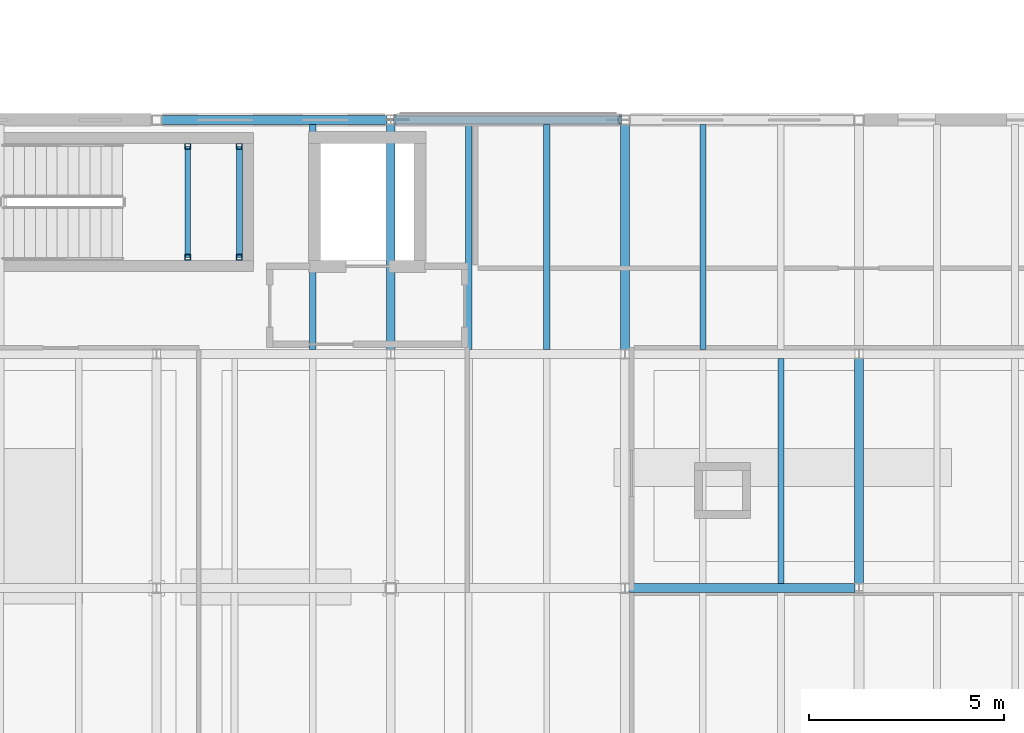
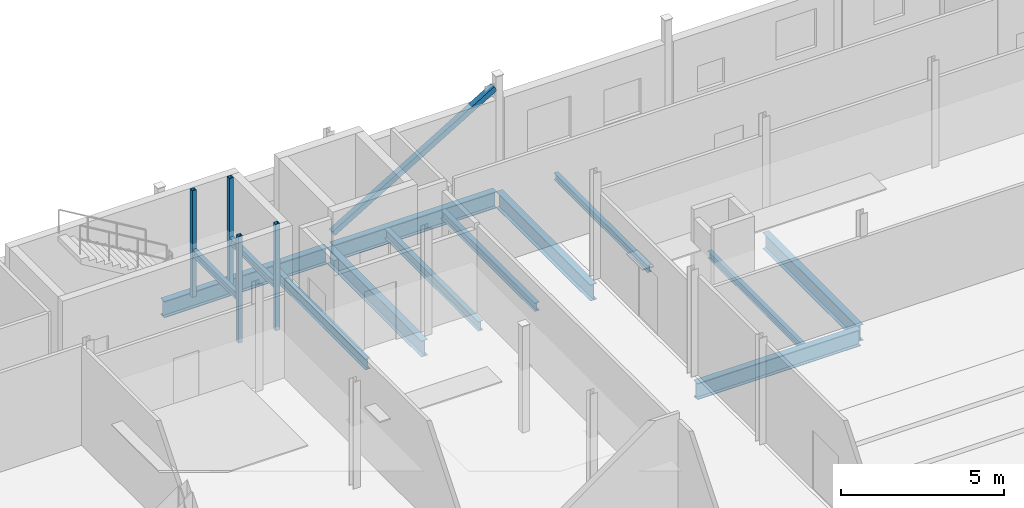
# One storey, part 36 of 92: 13 beams, 5 members.
"""IFC4 building model written with IfcOpenShell, lengths in metres."""

import ifcopenshell
import ifcopenshell.guid

model = None  # the IFC model being written
_history = None  # IfcOwnerHistory: only IFC2X3 demands one
_inside = {}  # id of a spatial element -> (the spatial element, [elements in it])
_under = {}  # id of a project, library or spatial element -> (it, [spatial elements below it])
_declared = {}  # id of a project -> (the project, [libraries it declares])
_typed = {}  # id of a type object -> (the type object, [elements of that type])
_made_of = {}  # id of a material, layer set ... -> (it, [elements and type objects made of it])


def new_model(schema):
    """Start an empty IFC model of exactly this schema.

    Asked for "IFC4X3", IfcOpenShell would pick the latest addendum, in which some entities
    have other attributes; the version numbers below select the first issue.
    IFC2X3 requires an IfcOwnerHistory on every rooted entity: one is made here for all.
    """
    global model, _history
    if schema == "IFC4X3":
        model = ifcopenshell.file(schema_version=(4, 3, 0, 0))
    else:
        model = ifcopenshell.file(schema=schema)
    _inside.clear()
    _under.clear()
    _declared.clear()
    _typed.clear()
    _made_of.clear()
    _history = None
    if model.schema == "IFC2X3":
        org = make("IfcOrganization", Name="unknown")
        user = make(
            "IfcPersonAndOrganization",
            ThePerson=make("IfcPerson", FamilyName="unknown"),
            TheOrganization=org,
        )
        app = make(
            "IfcApplication",
            ApplicationDeveloper=org,
            Version="unknown",
            ApplicationFullName="unknown",
            ApplicationIdentifier="unknown",
        )
        _history = make(
            "IfcOwnerHistory",
            OwningUser=user,
            OwningApplication=app,
            ChangeAction="ADDED",
            CreationDate=0,
        )
    return model


def make(cls, **values):
    """One entity of the class cls with the attributes given. An attribute that is None is left unset."""
    return model.create_entity(
        cls, **{name: value for name, value in values.items() if value is not None}
    )


def rooted(cls, **values):
    """An entity with a GlobalId (a new one), such as an element, a storey or a relation."""
    return make(cls, GlobalId=ifcopenshell.guid.new(), OwnerHistory=_history, **values)


def si_unit(unit_type, name, prefix=None):
    """IfcSIUnit, for example si_unit("LENGTHUNIT", "METRE", prefix="MILLI")."""
    return make("IfcSIUnit", UnitType=unit_type, Prefix=prefix, Name=name)


def assignment(units):
    """IfcUnitAssignment: the units of a project."""
    return None if units is None else make("IfcUnitAssignment", Units=units)


def point(xyz):
    """IfcCartesianPoint."""
    return None if xyz is None else make("IfcCartesianPoint", Coordinates=xyz)


def direction(xyz):
    """IfcDirection."""
    return None if xyz is None else make("IfcDirection", DirectionRatios=xyz)


def frame(location, z_axis=None, x_axis=None):
    """IfcAxis2Placement3D, a coordinate frame: its origin and axes. An axis left out is left unset."""
    return make(
        "IfcAxis2Placement3D",
        Location=point(location),
        Axis=direction(z_axis),
        RefDirection=direction(x_axis),
    )


def frame_2d(location, x_axis=None):
    """IfcAxis2Placement2D, a coordinate frame in the plane: its origin and x axis."""
    return make(
        "IfcAxis2Placement2D", Location=point(location), RefDirection=direction(x_axis)
    )


def origin():
    """The frame at (0, 0, 0) with its axes left unset."""
    return frame((0.0, 0.0, 0.0))


def origin_2d():
    """The frame at (0, 0) in the plane with its x axis left unset."""
    return frame_2d((0.0, 0.0))


def place(relative_to, where):
    """IfcLocalPlacement: puts the frame where relative to a parent placement (None: the world)."""
    return make(
        "IfcLocalPlacement", PlacementRelTo=relative_to, RelativePlacement=where
    )


def context(
    kind, dimensions, precision=None, world=None, true_north=None, identifier=None
):
    """IfcGeometricRepresentationContext, for example the 3D "Model" context."""
    return make(
        "IfcGeometricRepresentationContext",
        ContextIdentifier=identifier,
        ContextType=kind,
        CoordinateSpaceDimension=dimensions,
        Precision=precision,
        WorldCoordinateSystem=world,
        TrueNorth=true_north,
    )


def subcontext(parent, identifier, kind, view, scale=None):
    """IfcGeometricRepresentationSubContext, for example "Body" below "Model"."""
    return make(
        "IfcGeometricRepresentationSubContext",
        ContextIdentifier=identifier,
        ContextType=kind,
        ParentContext=parent,
        TargetScale=scale,
        TargetView=view,
    )


def project(units=None, contexts=None):
    """IfcProject with its units and contexts."""
    return rooted(
        "IfcProject",
        Name="project",
        RepresentationContexts=contexts,
        UnitsInContext=assignment(units),
    )


def spatial(cls, under=None, at=None, **own):
    """A site, building, storey or space (cls), placed at a placement, below another one or the project."""
    s = rooted(cls, ObjectPlacement=at, **own)
    if under is not None:
        _under.setdefault(under.id(), (under, []))[1].append(s)
    return s


def profile(cls, at=None, kind="AREA", **sizes):
    """A parametric profile (cls). Its sizes go by their IFC names, for example OverallWidth=200.0."""
    return make(cls, ProfileType=kind, Position=at, **sizes)


def hollow_rectangle(**sizes):
    """IfcRectangleHollowProfileDef."""
    return profile("IfcRectangleHollowProfileDef", **sizes)


def i_section(**sizes):
    """IfcIShapeProfileDef."""
    return profile("IfcIShapeProfileDef", **sizes)


def extrude(swept, where, along, depth):
    """IfcExtrudedAreaSolid: the profile swept, set in the frame where, extruded along a direction by depth."""
    return make(
        "IfcExtrudedAreaSolid",
        SweptArea=swept,
        Position=where,
        ExtrudedDirection=direction(along),
        Depth=depth,
    )


def shape(context_of_items, identifier, shape_type, items):
    """IfcShapeRepresentation: the items that make up one representation, for example the "Body"."""
    return make(
        "IfcShapeRepresentation",
        ContextOfItems=context_of_items,
        RepresentationIdentifier=identifier,
        RepresentationType=shape_type,
        Items=items,
    )


def material(Name=None, Category=None):
    """IfcMaterial."""
    return make("IfcMaterial", Name=Name, Category=Category)


def material_profile(
    of_material, cross_section, Name=None, Category=None, Priority=None
):
    """IfcMaterialProfile: a cross section and its material."""
    return make(
        "IfcMaterialProfile",
        Name=Name,
        Material=of_material,
        Profile=cross_section,
        Priority=Priority,
        Category=Category,
    )


def profile_set(profiles, Name=None, composite=None):
    """IfcMaterialProfileSet."""
    return make(
        "IfcMaterialProfileSet",
        Name=Name,
        MaterialProfiles=profiles,
        CompositeProfile=composite,
    )


def made_of(thing, what):
    """Note that an element or type object is made of a material, layer set ...; save() writes the relation."""
    if what is not None:
        _made_of.setdefault(what.id(), (what, []))[1].append(thing)
    return thing


def type_object(cls, material=None, **own):
    """A type object (cls), such as IfcWallType, which elements share."""
    return made_of(rooted(cls, **own), material)


def element(
    cls,
    number,
    at=None,
    inside=None,
    cuts=None,
    type_object=None,
    material=None,
    context=None,
    identifier="Body",
    shape_type=None,
    held_by="IfcProductDefinitionShape",
    body=None,
    shapes=None,
    **own,
):
    """One element of the class cls, such as IfcWall. Its Tag is "e" and its number.

    at: its placement. inside: the storey or other place that contains it. cuts: it is an
    opening in that element (IfcRelVoidsElement). A single representation is given by context,
    identifier, shape_type and body (its items); several are given by shapes. held_by: the class
    of the entity that holds the representations. save() writes the other relations.
    """
    e = rooted(cls, Tag="e%d" % number, ObjectPlacement=at, **own)
    if body is not None:
        shapes = [shape(context, identifier, shape_type, body)]
    if shapes is not None:
        e.Representation = make(held_by, Representations=shapes)
    if inside is not None:
        _inside.setdefault(inside.id(), (inside, []))[1].append(e)
    if cuts is not None:
        rooted(
            "IfcRelVoidsElement", RelatingBuildingElement=cuts, RelatedOpeningElement=e
        )
    if type_object is not None:
        _typed.setdefault(type_object.id(), (type_object, []))[1].append(e)
    return made_of(e, material)


def aggregate(whole, parts):
    """IfcRelAggregates: a whole, such as a stair, and the parts it consists of."""
    return rooted("IfcRelAggregates", RelatingObject=whole, RelatedObjects=parts)


def save(model, path):
    """Write the relations noted so far, then the file.

    IfcRelAggregates (storeys below a building ...), IfcRelContainedInSpatialStructure (elements
    in a storey), IfcRelDefinesByType, IfcRelAssociatesMaterial and IfcRelDeclares: one each for
    every whole, place, type object, material and project.
    """
    for whole, parts in _under.values():
        aggregate(whole, parts)
    for where, things in _inside.values():
        rooted(
            "IfcRelContainedInSpatialStructure",
            RelatedElements=things,
            RelatingStructure=where,
        )
    for kind, things in _typed.values():
        rooted("IfcRelDefinesByType", RelatedObjects=things, RelatingType=kind)
    for what, things in _made_of.values():
        rooted("IfcRelAssociatesMaterial", RelatedObjects=things, RelatingMaterial=what)
    for by, libraries in _declared.values():
        rooted("IfcRelDeclares", RelatingContext=by, RelatedDefinitions=libraries)
    model.write(path)


model = new_model("IFC4")

# Units and contexts
model_context = context("Model", 3, precision=1e-05, world=origin(), true_north=direction((0.0, 1.0)))
body_context = subcontext(model_context, "Body", "Model", "MODEL_VIEW")
ifc_project = project(units=[si_unit("LENGTHUNIT", "METRE"), si_unit("AREAUNIT", "SQUARE_METRE"), si_unit("VOLUMEUNIT", "CUBIC_METRE"), si_unit("PLANEANGLEUNIT", "RADIAN"), si_unit("MASSUNIT", "GRAM", prefix="KILO")], contexts=[model_context])

# Site, building, storey
site_placement = place(None, origin())
site = spatial("IfcSite", under=ifc_project, at=site_placement, CompositionType="ELEMENT")
building_placement = place(site_placement, origin())
building = spatial("IfcBuilding", under=site, at=building_placement, Name="Siltcreek Boulevard Central Fire Station", CompositionType="ELEMENT")
storey_placement = place(building_placement, frame((0.0, 0.0, 6.0)))
storey = spatial("IfcBuildingStorey", under=building, at=storey_placement, Name="L02", CompositionType="ELEMENT", Elevation=6.0)

# Beams
ifc_material_1 = material(Name="Structural steel ASTM A992 Gr50", Category="steel")
ifc_material_profile_1 = material_profile(ifc_material_1, i_section(OverallWidth=0.22802734375, OverallDepth=0.60791015625, WebThickness=0.01123046875, FlangeThickness=0.017333984375, at=origin_2d()), Name="W610X113")
ifc_profile_set_1 = profile_set([ifc_material_profile_1], Name="Structural steel ASTM A992 Gr50")
beam_type_1 = type_object("IfcBeamType", Name="BM_W610X113", PredefinedType="BEAM", material=ifc_profile_set_1)
for number, where, z_axis, x_axis, name in (
    (1, (136.199951171875, 24.10009765625, -0.6240234375), (0.0, 1.0, 0.0), (-1.0, 0.0, 0.0), "L02 primary steel girder GY-0293"),
    (2, (142.199951171875, 24.10009765625, -0.6240234375), (0.0, 1.0, 0.0), (-1.0, 0.0, 0.0), "L02 primary steel girder GY-0298"),
    (3, (148.199951171875, 18.10009765625, -0.6240234375), (0.0, 1.0, 0.0), (-1.0, 0.0, 0.0), "L02 primary steel girder GY-0300"),
):
    element("IfcBeam", number, at=place(storey_placement, frame(where, z_axis=z_axis, x_axis=x_axis)), inside=storey, type_object=beam_type_1, Name=name, PredefinedType="BEAM", context=body_context, shape_type="SweptSolid", body=[
        extrude(i_section(OverallWidth=0.22802734375, OverallDepth=0.60791015625, WebThickness=0.01123046875, FlangeThickness=0.017333984375, at=origin_2d()), origin(), (0.0, 0.0, 1.0), 5.7998046875),
    ])
ifc_material_profile_2 = material_profile(ifc_material_1, i_section(OverallWidth=0.22998046875, OverallDepth=0.616943359375, WebThickness=0.01318359375, FlangeThickness=0.022216796875, at=origin_2d()), Name="W610X140")
ifc_profile_set_2 = profile_set([ifc_material_profile_2], Name="Structural steel ASTM A992 Gr50")
beam_type_2 = type_object("IfcBeamType", Name="BM_W610X140", PredefinedType="BEAM", material=ifc_profile_set_2)
for number, where, z_axis, x_axis, name in (
    (4, (142.300048828125, 18.0, -0.62841796875), (1.0, 0.0, 0.0), (0.0, 1.0, 0.0), "L02 primary steel girder GX-0254"),
    (5, (130.300048828125, 30.0, -0.62841796875), (1.0, 0.0, 0.0), (0.0, 1.0, 0.0), "L02 primary steel girder GX-0270"),
    (6, (136.300048828125, 30.0, -0.62841796875), (1.0, 0.0, 0.0), (0.0, 1.0, 0.0), "L02 primary steel girder GX-0271"),
):
    element("IfcBeam", number, at=place(storey_placement, frame(where, z_axis=z_axis, x_axis=x_axis)), inside=storey, type_object=beam_type_2, Name=name, PredefinedType="BEAM", context=body_context, shape_type="SweptSolid", body=[
        extrude(i_section(OverallWidth=0.22998046875, OverallDepth=0.616943359375, WebThickness=0.01318359375, FlangeThickness=0.022216796875, at=origin_2d()), origin(), (0.0, 0.0, 1.0), 5.800048828125),
    ])

# Members
ifc_material_2 = material(Name="Structural steel ASTM A500 GrC", Category="steel")
ifc_material_profile_3 = material_profile(ifc_material_2, hollow_rectangle(XDim=0.14990234375, YDim=0.14990234375, WallThickness=0.008056640625, at=origin_2d()), Name="HSS150X150X8.0")
ifc_profile_set_3 = profile_set([ifc_material_profile_3], Name="Structural steel ASTM A500 GrC")
member_type_1 = type_object("IfcMemberType", Name="BR_HSS150_8", PredefinedType="BRACE", material=ifc_profile_set_3)
for number, where, z_axis, x_axis, name in (
    (7, (131.0, 26.47998046875, 0.0), (0.0, 0.0, 1.0), (1.0, 0.0, 0.0), "L02 ST-V6A stair landing corner post SW"),
    (8, (131.0, 29.320068359375, 0.0), (0.0, 0.0, 1.0), (1.0, 0.0, 0.0), "L02 ST-V6A stair landing corner post NW"),
    (9, (132.320068359375, 26.47998046875, 0.0), (0.0, 0.0, 1.0), (1.0, 0.0, 0.0), "L02 ST-V6A stair landing corner post SE"),
    (10, (132.320068359375, 29.320068359375, 0.0), (0.0, 0.0, 1.0), (1.0, 0.0, 0.0), "L02 ST-V6A stair landing corner post NE"),
):
    element("IfcMember", number, at=place(storey_placement, frame(where, z_axis=z_axis, x_axis=x_axis)), inside=storey, type_object=member_type_1, Name=name, PredefinedType="BRACE", context=body_context, shape_type="SweptSolid", body=[
        extrude(hollow_rectangle(XDim=0.14990234375, YDim=0.14990234375, WallThickness=0.008056640625, at=origin_2d()), origin(), (0.0, 0.0, 1.0), 4.0),
    ])
ifc_material_profile_4 = material_profile(ifc_material_2, hollow_rectangle(XDim=0.199951171875, YDim=0.199951171875, WallThickness=0.00634765625, at=origin_2d()), Name="HSS200X200X6.4")
ifc_profile_set_4 = profile_set([ifc_material_profile_4], Name="Structural steel ASTM A500 GrC")
member_type_2 = type_object("IfcMemberType", Name="BR_HSS200_6", PredefinedType="BRACE", material=ifc_profile_set_4)
member_placement = place(storey_placement, frame((136.320068359375, 30.0, 0.10009765625), z_axis=(0.857890513261, 0.0, 0.513832528415), x_axis=(0.0, 1.0, 0.0)))
element("IfcMember", 11, at=member_placement, inside=storey, type_object=member_type_2, Name="L02 buckling-restrained brace BR-040", PredefinedType="BRACE", context=body_context, shape_type="SweptSolid", body=[
    extrude(hollow_rectangle(XDim=0.199951171875, YDim=0.199951171875, WallThickness=0.00634765625, at=origin_2d()), origin(), (0.0, 0.0, 1.0), 6.714111328125),
])

# Beams
ifc_material_profile_5 = material_profile(ifc_material_1, i_section(OverallWidth=0.14697265625, OverallDepth=0.261962890625, WebThickness=0.006591796875, FlangeThickness=0.01123046875, at=origin_2d()), Name="W250X39")
ifc_profile_set_5 = profile_set([ifc_material_profile_5], Name="Structural steel ASTM A992 Gr50")
beam_type_3 = type_object("IfcBeamType", Name="JST_W250X39", PredefinedType="JOIST", material=ifc_profile_set_5)
for number, where, z_axis, x_axis, name in (
    (12, (146.199951171875, 18.113037109375, -0.450927734375), (0.0, 1.0, 0.0), (-1.0, 0.0, 0.0), "L02 secondary steel floor joist 0246"),
    (13, (144.199951171875, 24.113037109375, -0.450927734375), (0.0, 1.0, 0.0), (-1.0, 0.0, 0.0), "L02 secondary steel floor joist 0261"),
):
    element("IfcBeam", number, at=place(storey_placement, frame(where, z_axis=z_axis, x_axis=x_axis)), inside=storey, type_object=beam_type_3, Name=name, PredefinedType="JOIST", context=body_context, shape_type="SweptSolid", body=[
        extrude(i_section(OverallWidth=0.14697265625, OverallDepth=0.261962890625, WebThickness=0.006591796875, FlangeThickness=0.01123046875, at=origin_2d()), origin(), (0.0, 0.0, 1.0), 5.77392578125),
    ])
for number, where, z_axis, x_axis, name in (
    (14, (131.0, 26.47998046875, 1.6689453125), (0.0, 1.0, 0.0), (-1.0, 0.0, 0.0), "L02 ST-V6A stair landing bearer MIDW"),
    (15, (132.320068359375, 26.47998046875, 1.6689453125), (0.0, 1.0, 0.0), (-1.0, 0.0, 0.0), "L02 ST-V6A stair landing bearer MIDE"),
):
    element("IfcBeam", number, at=place(storey_placement, frame(where, z_axis=z_axis, x_axis=x_axis)), inside=storey, type_object=beam_type_3, Name=name, PredefinedType="JOIST", context=body_context, shape_type="SweptSolid", body=[
        extrude(i_section(OverallWidth=0.14697265625, OverallDepth=0.261962890625, WebThickness=0.006591796875, FlangeThickness=0.01123046875, at=origin_2d()), origin(), (0.0, 0.0, 1.0), 2.840087890625),
    ])
ifc_material_profile_6 = material_profile(ifc_material_1, i_section(OverallWidth=0.166015625, OverallDepth=0.31298828125, WebThickness=0.006591796875, FlangeThickness=0.01123046875, at=origin_2d()), Name="W310X45")
ifc_profile_set_6 = profile_set([ifc_material_profile_6], Name="Structural steel ASTM A992 Gr50")
beam_type_4 = type_object("IfcBeamType", Name="JST_W310X45", PredefinedType="JOIST", material=ifc_profile_set_6)
beam_1_placement = place(storey_placement, frame((140.199951171875, 24.113037109375, -0.4765625), z_axis=(0.0, 1.0, 0.0), x_axis=(-1.0, 0.0, 0.0)))
element("IfcBeam", 16, at=beam_1_placement, inside=storey, type_object=beam_type_4, Name="L02 secondary steel floor joist 0260", PredefinedType="JOIST", context=body_context, shape_type="SweptSolid", body=[
    extrude(i_section(OverallWidth=0.166015625, OverallDepth=0.31298828125, WebThickness=0.006591796875, FlangeThickness=0.01123046875, at=origin_2d()), origin(), (0.0, 0.0, 1.0), 5.77392578125),
])
ifc_material_profile_7 = material_profile(ifc_material_1, i_section(OverallWidth=0.172119140625, OverallDepth=0.35791015625, WebThickness=0.0078125, FlangeThickness=0.01318359375, at=origin_2d()), Name="W360X57")
ifc_profile_set_7 = profile_set([ifc_material_profile_7], Name="Structural steel ASTM A992 Gr50")
beam_type_5 = type_object("IfcBeamType", Name="JST_W360X57", PredefinedType="JOIST", material=ifc_profile_set_7)
beam_2_placement = place(storey_placement, frame((138.199951171875, 24.113037109375, -0.4990234375), z_axis=(0.0, 1.0, 0.0), x_axis=(-1.0, 0.0, 0.0)))
element("IfcBeam", 17, at=beam_2_placement, inside=storey, type_object=beam_type_5, Name="L02 secondary steel floor joist 0259", PredefinedType="JOIST", context=body_context, shape_type="SweptSolid", body=[
    extrude(i_section(OverallWidth=0.172119140625, OverallDepth=0.35791015625, WebThickness=0.0078125, FlangeThickness=0.01318359375, at=origin_2d()), origin(), (0.0, 0.0, 1.0), 5.77392578125),
])
ifc_material_profile_8 = material_profile(ifc_material_1, i_section(OverallWidth=0.177001953125, OverallDepth=0.403076171875, WebThickness=0.007568359375, FlangeThickness=0.010986328125, at=origin_2d()), Name="W410X53")
ifc_profile_set_8 = profile_set([ifc_material_profile_8], Name="Structural steel ASTM A992 Gr50")
beam_type_6 = type_object("IfcBeamType", Name="JST_W410X53", PredefinedType="JOIST", material=ifc_profile_set_8)
beam_3_placement = place(storey_placement, frame((134.199951171875, 24.113037109375, -0.521484375), z_axis=(0.0, 1.0, 0.0), x_axis=(-1.0, 0.0, 0.0)))
element("IfcBeam", 18, at=beam_3_placement, inside=storey, type_object=beam_type_6, Name="L02 secondary steel floor joist 0258", PredefinedType="JOIST", context=body_context, shape_type="SweptSolid", body=[
    extrude(i_section(OverallWidth=0.177001953125, OverallDepth=0.403076171875, WebThickness=0.007568359375, FlangeThickness=0.010986328125, at=origin_2d()), origin(), (0.0, 0.0, 1.0), 5.77392578125),
])

save(model, "model.ifc")
